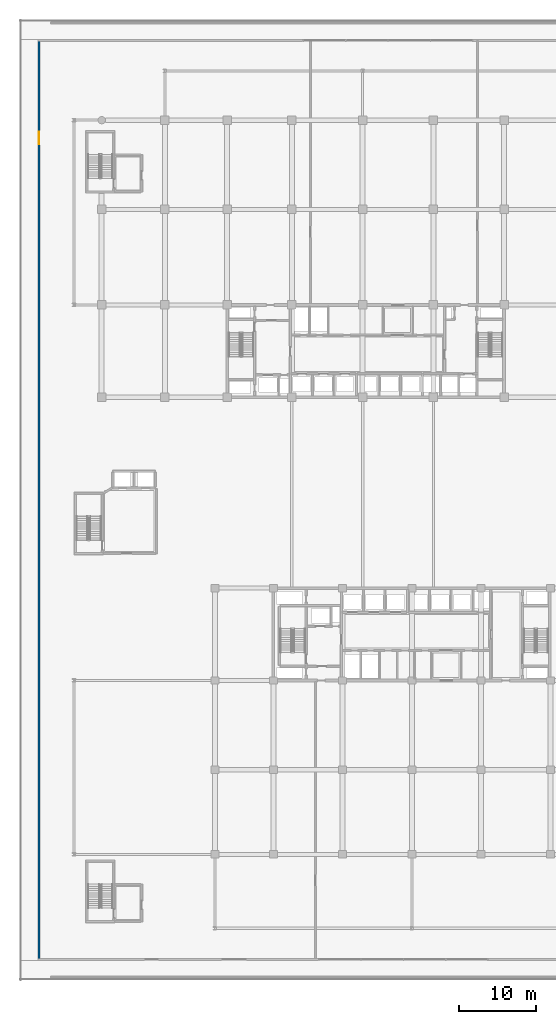
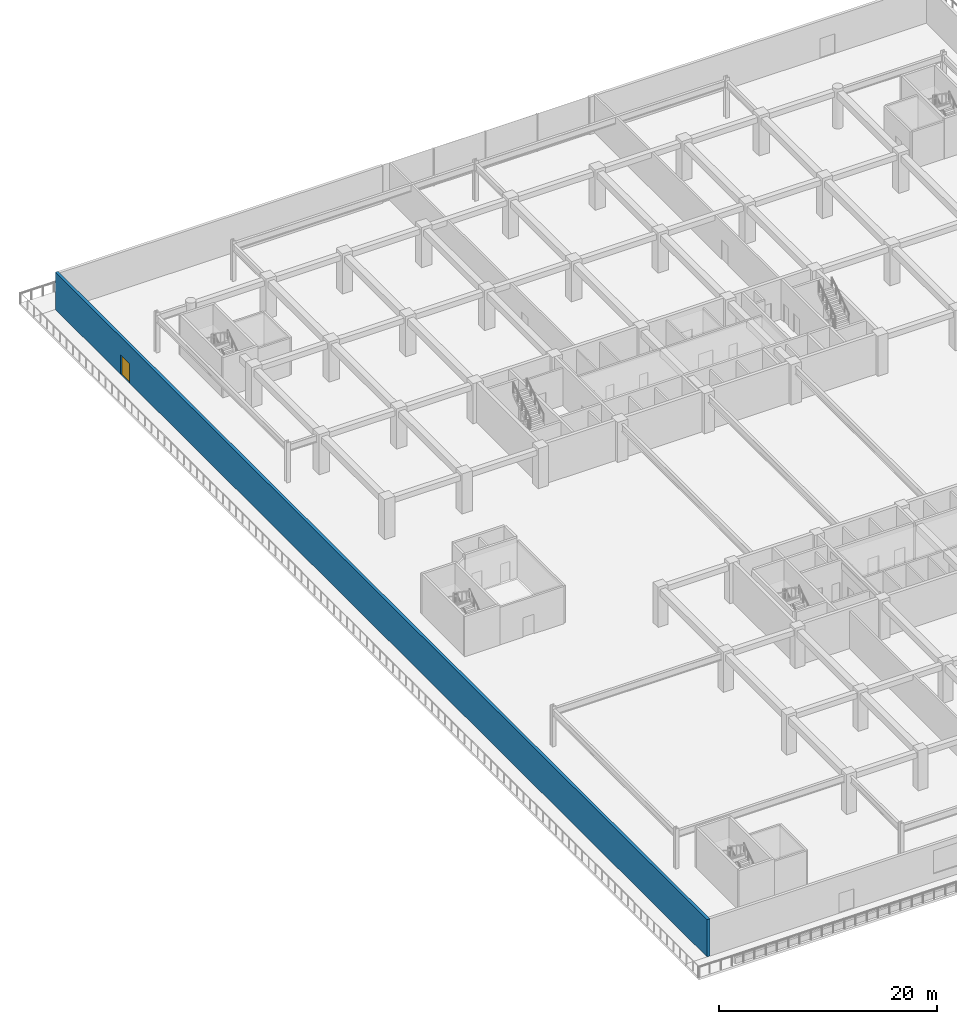
# One storey, part 20 of 40: 1 door, 1 wall, 1 opening.
"""IFC4 building model written with IfcOpenShell, lengths in metres."""

from ifc_helpers import new_model, si_unit, direction, frame, frame_2d, origin, place, context, subcontext, project, spatial, rectangle, extrude, material, layer, layer_set, type_object, element, fill, save


model = new_model("IFC4")

# Units and contexts
model_context = context("Model", 3, precision=1e-05, world=origin(), true_north=direction((0.0, 1.0)))
body_context = subcontext(model_context, "Body", "Model", "MODEL_VIEW")
ifc_project = project(units=[si_unit("LENGTHUNIT", "METRE"), si_unit("AREAUNIT", "SQUARE_METRE"), si_unit("VOLUMEUNIT", "CUBIC_METRE"), si_unit("PLANEANGLEUNIT", "RADIAN"), si_unit("MASSUNIT", "GRAM", prefix="KILO")], contexts=[model_context])

# Site, building, storey
site_placement = place(None, origin())
site = spatial("IfcSite", under=ifc_project, at=site_placement, CompositionType="ELEMENT")
building_placement = place(site_placement, origin())
building = spatial("IfcBuilding", under=site, at=building_placement, Name="Korimba Cascade Residences", CompositionType="ELEMENT")
storey_placement = place(building_placement, frame((0.0, 0.0, 14.5)))
storey = spatial("IfcBuildingStorey", under=building, at=storey_placement, Name="L03", CompositionType="ELEMENT", Elevation=14.5)

# Wall, opening, door
ifc_material_1 = material(Name="Precast concrete C40/50", Category="concrete")
ifc_layer = layer(ifc_material_1, 0.300048828125)
ifc_layer_set = layer_set([ifc_layer], Name="Precast concrete C40/50")
wall_type = type_object("IfcWallType", Name="EW-STONE-300", PredefinedType="STANDARD", material=ifc_layer_set)
wall_placement = place(storey_placement, frame((51.64990234375, 101.699951171875, 0.0), z_axis=(0.0, 0.0, 1.0), x_axis=(0.0, -1.0, 0.0)))
wall = element("IfcWall", 1, at=wall_placement, inside=storey, type_object=wall_type, Name="L03 West Podium Wall", PredefinedType="STANDARD", context=body_context, shape_type="SweptSolid", body=[
    extrude(rectangle(XDim=119.699951171875, YDim=0.300048828125, at=frame_2d((59.85009765625, 0.0))), origin(), (0.0, 0.0, 1.0), 4.179931640625),
])
opening_placement = place(wall_placement, frame((12.0, 0.0, 0.0)))
opening = element("IfcOpeningElement", 2, at=opening_placement, cuts=wall, Name="Opening D-TR1", PredefinedType="OPENING", context=body_context, shape_type="SweptSolid", body=[
    extrude(rectangle(XDim=1.60009765625, YDim=2.199951171875, at=frame_2d((0.800048828125, 1.10009765625))), frame((0.0, 0.16015625, 0.0), z_axis=(0.0, -1.0, 0.0), x_axis=(1.0, 0.0, 0.0)), (0.0, 0.0, 1.0), 0.320068359375),
])
ifc_material_2 = material(Name="Glazed Aluminium Terrace Door", Category="aluminium")
door_type = type_object("IfcDoorType", Name="DR-EXT-TER", OperationType="NOTDEFINED", PredefinedType="DOOR", material=ifc_material_2)
door_placement = place(opening_placement, frame((1.60009765625, 0.0, 0.0), z_axis=(0.0, 0.0, 1.0), x_axis=(-1.0, 0.0, 0.0)))
door = element("IfcDoor", 3, at=door_placement, inside=storey, type_object=door_type, Name="L03 West Terrace Access Door", OperationType="DOUBLE_DOOR_SINGLE_SWING", OverallHeight=2.199951171875, OverallWidth=1.60009765625, PredefinedType="DOOR", context=body_context, shape_type="SweptSolid", body=[
    extrude(rectangle(XDim=1.60009765625, YDim=2.199951171875, at=frame_2d((0.800048828125, 1.10009765625))), frame((0.0, 0.02490234375, 0.0), z_axis=(0.0, -1.0, 0.0), x_axis=(1.0, 0.0, 0.0)), (0.0, 0.0, 1.0), 0.050048828125),
])
fill(opening, door)

save(model, "model.ifc")
